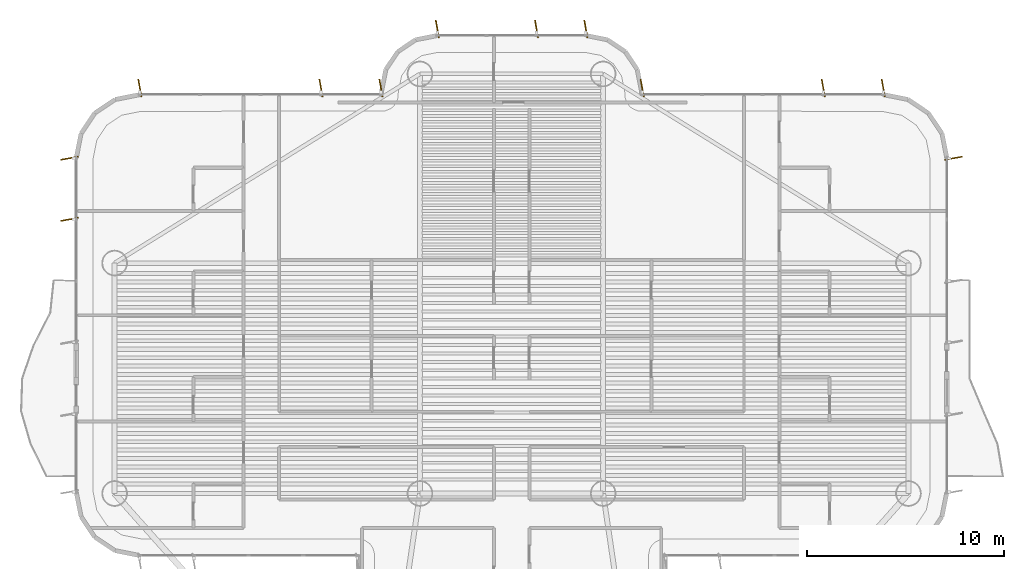
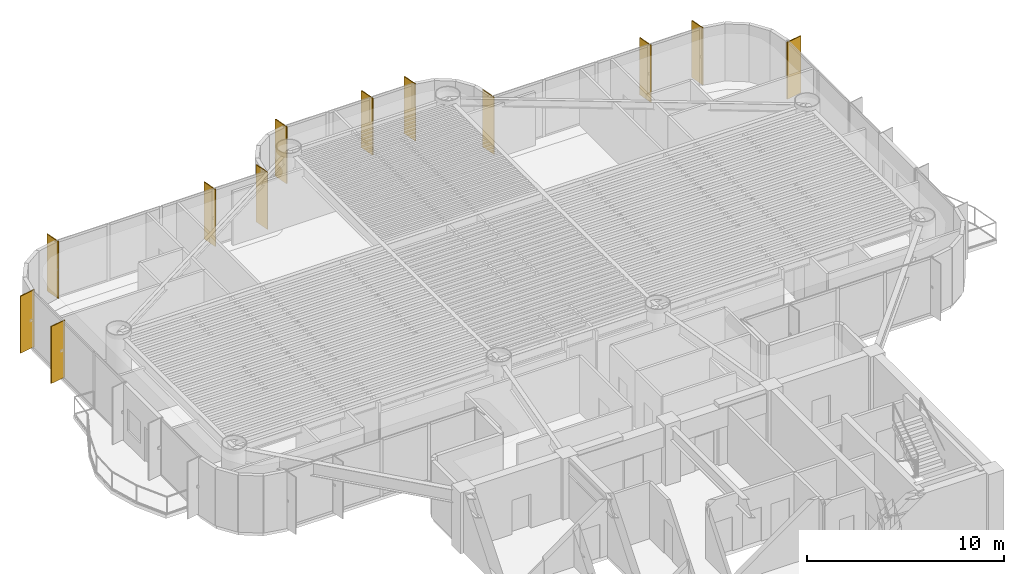
# One storey, part 17 of 17: 12 shading devices.
"""IFC4 building model written with IfcOpenShell, lengths in metres."""

import ifcopenshell
import ifcopenshell.guid

model = None  # the IFC model being written
_history = None  # IfcOwnerHistory: only IFC2X3 demands one
_inside = {}  # id of a spatial element -> (the spatial element, [elements in it])
_under = {}  # id of a project, library or spatial element -> (it, [spatial elements below it])
_declared = {}  # id of a project -> (the project, [libraries it declares])
_typed = {}  # id of a type object -> (the type object, [elements of that type])
_made_of = {}  # id of a material, layer set ... -> (it, [elements and type objects made of it])


def new_model(schema):
    """Start an empty IFC model of exactly this schema.

    Asked for "IFC4X3", IfcOpenShell would pick the latest addendum, in which some entities
    have other attributes; the version numbers below select the first issue.
    IFC2X3 requires an IfcOwnerHistory on every rooted entity: one is made here for all.
    """
    global model, _history
    if schema == "IFC4X3":
        model = ifcopenshell.file(schema_version=(4, 3, 0, 0))
    else:
        model = ifcopenshell.file(schema=schema)
    _inside.clear()
    _under.clear()
    _declared.clear()
    _typed.clear()
    _made_of.clear()
    _history = None
    if model.schema == "IFC2X3":
        org = make("IfcOrganization", Name="unknown")
        user = make(
            "IfcPersonAndOrganization",
            ThePerson=make("IfcPerson", FamilyName="unknown"),
            TheOrganization=org,
        )
        app = make(
            "IfcApplication",
            ApplicationDeveloper=org,
            Version="unknown",
            ApplicationFullName="unknown",
            ApplicationIdentifier="unknown",
        )
        _history = make(
            "IfcOwnerHistory",
            OwningUser=user,
            OwningApplication=app,
            ChangeAction="ADDED",
            CreationDate=0,
        )
    return model


def make(cls, **values):
    """One entity of the class cls with the attributes given. An attribute that is None is left unset."""
    return model.create_entity(
        cls, **{name: value for name, value in values.items() if value is not None}
    )


def rooted(cls, **values):
    """An entity with a GlobalId (a new one), such as an element, a storey or a relation."""
    return make(cls, GlobalId=ifcopenshell.guid.new(), OwnerHistory=_history, **values)


def si_unit(unit_type, name, prefix=None):
    """IfcSIUnit, for example si_unit("LENGTHUNIT", "METRE", prefix="MILLI")."""
    return make("IfcSIUnit", UnitType=unit_type, Prefix=prefix, Name=name)


def assignment(units):
    """IfcUnitAssignment: the units of a project."""
    return None if units is None else make("IfcUnitAssignment", Units=units)


def point(xyz):
    """IfcCartesianPoint."""
    return None if xyz is None else make("IfcCartesianPoint", Coordinates=xyz)


def direction(xyz):
    """IfcDirection."""
    return None if xyz is None else make("IfcDirection", DirectionRatios=xyz)


def frame(location, z_axis=None, x_axis=None):
    """IfcAxis2Placement3D, a coordinate frame: its origin and axes. An axis left out is left unset."""
    return make(
        "IfcAxis2Placement3D",
        Location=point(location),
        Axis=direction(z_axis),
        RefDirection=direction(x_axis),
    )


def frame_2d(location, x_axis=None):
    """IfcAxis2Placement2D, a coordinate frame in the plane: its origin and x axis."""
    return make(
        "IfcAxis2Placement2D", Location=point(location), RefDirection=direction(x_axis)
    )


def origin():
    """The frame at (0, 0, 0) with its axes left unset."""
    return frame((0.0, 0.0, 0.0))


def origin_2d():
    """The frame at (0, 0) in the plane with its x axis left unset."""
    return frame_2d((0.0, 0.0))


def place(relative_to, where):
    """IfcLocalPlacement: puts the frame where relative to a parent placement (None: the world)."""
    return make(
        "IfcLocalPlacement", PlacementRelTo=relative_to, RelativePlacement=where
    )


def context(
    kind, dimensions, precision=None, world=None, true_north=None, identifier=None
):
    """IfcGeometricRepresentationContext, for example the 3D "Model" context."""
    return make(
        "IfcGeometricRepresentationContext",
        ContextIdentifier=identifier,
        ContextType=kind,
        CoordinateSpaceDimension=dimensions,
        Precision=precision,
        WorldCoordinateSystem=world,
        TrueNorth=true_north,
    )


def subcontext(parent, identifier, kind, view, scale=None):
    """IfcGeometricRepresentationSubContext, for example "Body" below "Model"."""
    return make(
        "IfcGeometricRepresentationSubContext",
        ContextIdentifier=identifier,
        ContextType=kind,
        ParentContext=parent,
        TargetScale=scale,
        TargetView=view,
    )


def project(units=None, contexts=None):
    """IfcProject with its units and contexts."""
    return rooted(
        "IfcProject",
        Name="project",
        RepresentationContexts=contexts,
        UnitsInContext=assignment(units),
    )


def spatial(cls, under=None, at=None, **own):
    """A site, building, storey or space (cls), placed at a placement, below another one or the project."""
    s = rooted(cls, ObjectPlacement=at, **own)
    if under is not None:
        _under.setdefault(under.id(), (under, []))[1].append(s)
    return s


def profile(cls, at=None, kind="AREA", **sizes):
    """A parametric profile (cls). Its sizes go by their IFC names, for example OverallWidth=200.0."""
    return make(cls, ProfileType=kind, Position=at, **sizes)


def rectangle(**sizes):
    """IfcRectangleProfileDef."""
    return profile("IfcRectangleProfileDef", **sizes)


def extrude(swept, where, along, depth):
    """IfcExtrudedAreaSolid: the profile swept, set in the frame where, extruded along a direction by depth."""
    return make(
        "IfcExtrudedAreaSolid",
        SweptArea=swept,
        Position=where,
        ExtrudedDirection=direction(along),
        Depth=depth,
    )


def shape(context_of_items, identifier, shape_type, items):
    """IfcShapeRepresentation: the items that make up one representation, for example the "Body"."""
    return make(
        "IfcShapeRepresentation",
        ContextOfItems=context_of_items,
        RepresentationIdentifier=identifier,
        RepresentationType=shape_type,
        Items=items,
    )


def source(mapping_origin, context_of_items, identifier, shape_type, items):
    """IfcRepresentationMap: a shape defined once, which mapped items show again and again."""
    return make(
        "IfcRepresentationMap",
        MappingOrigin=mapping_origin,
        MappedRepresentation=shape(context_of_items, identifier, shape_type, items),
    )


def transform(
    local_origin,
    x_axis=None,
    y_axis=None,
    z_axis=None,
    scale=None,
    scale2=None,
    scale3=None,
    uniform=True,
):
    """IfcCartesianTransformationOperator3D, or its non-uniform kind. x_axis, y_axis, z_axis: its Axis1, 2, 3."""
    if uniform:
        return make(
            "IfcCartesianTransformationOperator3D",
            Axis1=direction(x_axis),
            Axis2=direction(y_axis),
            LocalOrigin=point(local_origin),
            Scale=scale,
            Axis3=direction(z_axis),
        )
    return make(
        "IfcCartesianTransformationOperator3DnonUniform",
        Axis1=direction(x_axis),
        Axis2=direction(y_axis),
        LocalOrigin=point(local_origin),
        Scale=scale,
        Axis3=direction(z_axis),
        Scale2=scale2,
        Scale3=scale3,
    )


def mapped(mapping_source, mapping_target):
    """IfcMappedItem: shows the shape of a source again, moved by a transform."""
    return make(
        "IfcMappedItem", MappingSource=mapping_source, MappingTarget=mapping_target
    )


def material(Name=None, Category=None):
    """IfcMaterial."""
    return make("IfcMaterial", Name=Name, Category=Category)


def material_profile(
    of_material, cross_section, Name=None, Category=None, Priority=None
):
    """IfcMaterialProfile: a cross section and its material."""
    return make(
        "IfcMaterialProfile",
        Name=Name,
        Material=of_material,
        Profile=cross_section,
        Priority=Priority,
        Category=Category,
    )


def profile_set(profiles, Name=None, composite=None):
    """IfcMaterialProfileSet."""
    return make(
        "IfcMaterialProfileSet",
        Name=Name,
        MaterialProfiles=profiles,
        CompositeProfile=composite,
    )


def made_of(thing, what):
    """Note that an element or type object is made of a material, layer set ...; save() writes the relation."""
    if what is not None:
        _made_of.setdefault(what.id(), (what, []))[1].append(thing)
    return thing


def type_object(cls, material=None, **own):
    """A type object (cls), such as IfcWallType, which elements share."""
    return made_of(rooted(cls, **own), material)


def element(
    cls,
    number,
    at=None,
    inside=None,
    cuts=None,
    type_object=None,
    material=None,
    context=None,
    identifier="Body",
    shape_type=None,
    held_by="IfcProductDefinitionShape",
    body=None,
    shapes=None,
    **own,
):
    """One element of the class cls, such as IfcWall. Its Tag is "e" and its number.

    at: its placement. inside: the storey or other place that contains it. cuts: it is an
    opening in that element (IfcRelVoidsElement). A single representation is given by context,
    identifier, shape_type and body (its items); several are given by shapes. held_by: the class
    of the entity that holds the representations. save() writes the other relations.
    """
    e = rooted(cls, Tag="e%d" % number, ObjectPlacement=at, **own)
    if body is not None:
        shapes = [shape(context, identifier, shape_type, body)]
    if shapes is not None:
        e.Representation = make(held_by, Representations=shapes)
    if inside is not None:
        _inside.setdefault(inside.id(), (inside, []))[1].append(e)
    if cuts is not None:
        rooted(
            "IfcRelVoidsElement", RelatingBuildingElement=cuts, RelatedOpeningElement=e
        )
    if type_object is not None:
        _typed.setdefault(type_object.id(), (type_object, []))[1].append(e)
    return made_of(e, material)


def aggregate(whole, parts):
    """IfcRelAggregates: a whole, such as a stair, and the parts it consists of."""
    return rooted("IfcRelAggregates", RelatingObject=whole, RelatedObjects=parts)


def save(model, path):
    """Write the relations noted so far, then the file.

    IfcRelAggregates (storeys below a building ...), IfcRelContainedInSpatialStructure (elements
    in a storey), IfcRelDefinesByType, IfcRelAssociatesMaterial and IfcRelDeclares: one each for
    every whole, place, type object, material and project.
    """
    for whole, parts in _under.values():
        aggregate(whole, parts)
    for where, things in _inside.values():
        rooted(
            "IfcRelContainedInSpatialStructure",
            RelatedElements=things,
            RelatingStructure=where,
        )
    for kind, things in _typed.values():
        rooted("IfcRelDefinesByType", RelatedObjects=things, RelatingType=kind)
    for what, things in _made_of.values():
        rooted("IfcRelAssociatesMaterial", RelatedObjects=things, RelatingMaterial=what)
    for by, libraries in _declared.values():
        rooted("IfcRelDeclares", RelatingContext=by, RelatedDefinitions=libraries)
    model.write(path)


model = new_model("IFC4")

# Units and contexts
model_context = context("Model", 3, precision=1e-05, world=origin(), true_north=direction((0.0, 1.0)))
body_context = subcontext(model_context, "Body", "Model", "MODEL_VIEW")
ifc_project = project(units=[si_unit("LENGTHUNIT", "METRE"), si_unit("AREAUNIT", "SQUARE_METRE"), si_unit("VOLUMEUNIT", "CUBIC_METRE"), si_unit("PLANEANGLEUNIT", "RADIAN"), si_unit("MASSUNIT", "GRAM", prefix="KILO")], contexts=[model_context])

# Site, building, storey
site_placement = place(None, origin())
site = spatial("IfcSite", under=ifc_project, at=site_placement, CompositionType="ELEMENT")
building_placement = place(site_placement, origin())
building = spatial("IfcBuilding", under=site, at=building_placement, Name="Brelvock Crest Care Tower", CompositionType="ELEMENT")
storey_placement = place(building_placement, frame((0.0, 0.0, 131.39990234375)))
storey = spatial("IfcBuildingStorey", under=building, at=storey_placement, Name="L33", CompositionType="ELEMENT", Elevation=131.39990234375)

# Shading devices
ifc_material = material(Name="Aluminium 6063-T6", Category="aluminium")
ifc_material_profile = material_profile(ifc_material, rectangle(XDim=0.054931640625, YDim=0.89990234375, at=origin_2d()), Name="FIN55x900")
ifc_profile_set = profile_set([ifc_material_profile], Name="Aluminium 6063-T6")
shading_device_type = type_object("IfcShadingDeviceType", Name="SHD-FIN1", PredefinedType="USERDEFINED", material=ifc_profile_set)
shared_shape = source(origin(), body_context, "Body", "SweptSolid", [
    extrude(rectangle(XDim=0.054931640625, YDim=0.89990234375, at=origin_2d()), origin(), (0.0, 0.0, 1.0), 3.530029296875),
])
for number, where, z_axis, x_axis, name in (
    (1, (13.56005859375, 41.066650390625, 0.0), (0.0, 0.0, 1.0), (-0.173648177667, 0.984807753012, 0.0), "L33 Vertical Sunshade Fin E17B-03"),
    (2, (13.56005859375, 44.169921875, 0.0), (0.0, 0.0, 1.0), (-0.173648177667, 0.984807753012, 0.0), "L33 Vertical Sunshade Fin E17B-04"),
    (3, (17.1298828125, 47.739990234375, 0.0), (0.0, 0.0, 1.0), (0.984807753012, 0.173648177667, 0.0), "L33 Vertical Sunshade Fin E22-01"),
    (4, (26.324951171875, 47.739990234375, 0.0), (0.0, 0.0, 1.0), (0.984807753012, 0.173648177667, 0.0), "L33 Vertical Sunshade Fin E22-04"),
    (5, (29.3701171875, 47.739990234375, 0.0), (0.0, 0.0, 1.0), (0.984807753012, 0.173648177667, 0.0), "L33 Vertical Sunshade Fin E22-05"),
    (6, (32.22998046875, 50.739990234375, 0.0), (0.0, 0.0, 1.0), (0.984807753012, 0.173648177667, 0.0), "L33 Vertical Sunshade Fin E28-01"),
    (7, (37.2666015625, 50.739990234375, 0.0), (0.0, 0.0, 1.0), (0.984807753012, 0.173648177667, 0.0), "L33 Vertical Sunshade Fin E28-03"),
    (8, (39.77001953125, 50.739990234375, 0.0), (0.0, 0.0, 1.0), (0.984807753012, 0.173648177667, 0.0), "L33 Vertical Sunshade Fin E28-04"),
    (9, (42.6298828125, 47.739990234375, 0.0), (0.0, 0.0, 1.0), (0.984807753012, 0.173648177667, 0.0), "L33 Vertical Sunshade Fin E34-01"),
    (10, (51.824951171875, 47.739990234375, 0.0), (0.0, 0.0, 1.0), (0.984807753012, 0.173648177667, 0.0), "L33 Vertical Sunshade Fin E34-04"),
    (11, (54.8701171875, 47.739990234375, 0.0), (0.0, 0.0, 1.0), (0.984807753012, 0.173648177667, 0.0), "L33 Vertical Sunshade Fin E34-05"),
    (12, (58.43994140625, 44.169921875, 0.0), (0.0, 0.0, 1.0), (0.173648177667, -0.984807753012, 0.0), "L33 Vertical Sunshade Fin E39A-01"),
):
    element("IfcShadingDevice", number, at=place(storey_placement, frame(where, z_axis=z_axis, x_axis=x_axis)), inside=storey, type_object=shading_device_type, Name=name, ObjectType="FIN", PredefinedType="USERDEFINED", context=body_context, shape_type="MappedRepresentation", body=[
        mapped(shared_shape, transform((0.0, 0.0, 0.0), x_axis=(1.0, 0.0, 0.0), y_axis=(0.0, 1.0, 0.0), z_axis=(0.0, 0.0, 1.0), scale=1.0)),
    ])

save(model, "model.ifc")
